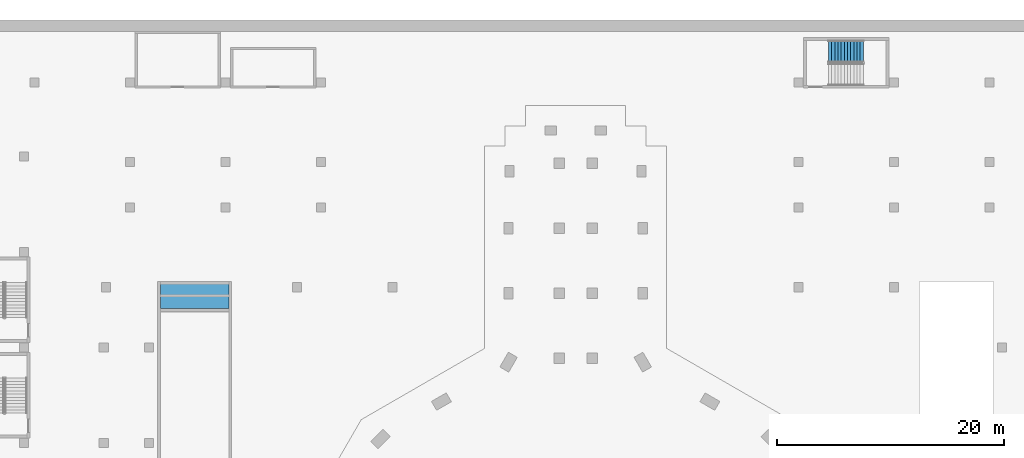
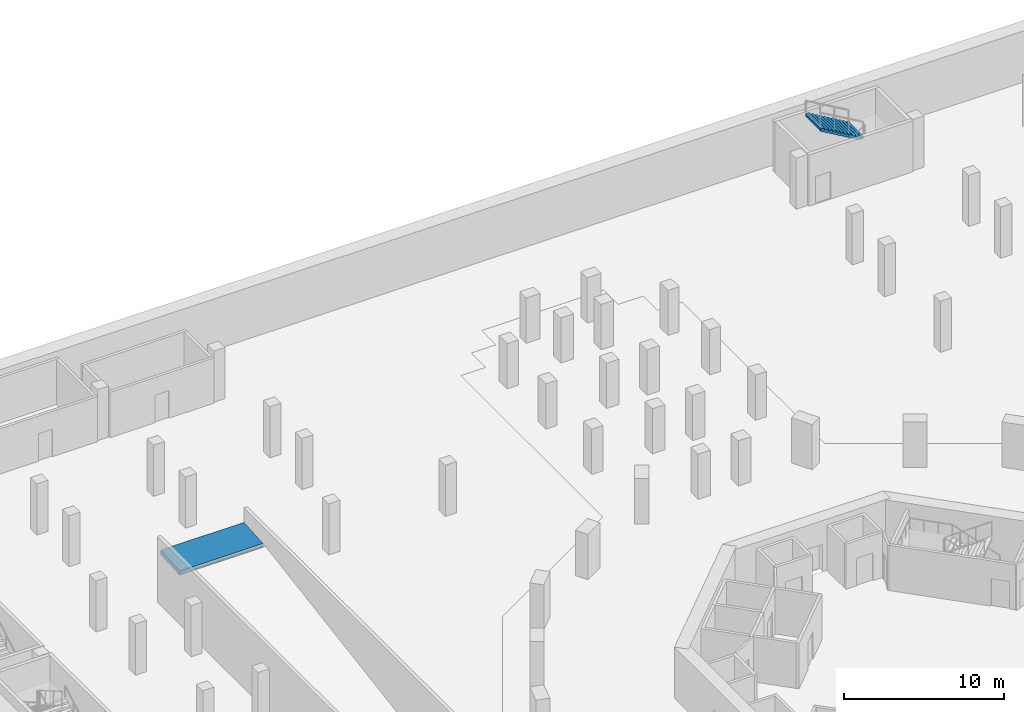
# One storey, part 18 of 25: 1 ramp flight, 1 stair flight, 2 elements without a shape of their own.
"""IFC4 building model written with IfcOpenShell, lengths in metres."""

from ifc_helpers import new_model, si_unit, direction, frame, origin, place, context, subcontext, project, spatial, triangles, material, layer, layer_set, type_object, element, aggregate, save


model = new_model("IFC4")

# Units and contexts
model_context = context("Model", 3, precision=1e-05, world=origin(), true_north=direction((0.0, 1.0)))
body_context = subcontext(model_context, "Body", "Model", "MODEL_VIEW")
ifc_project = project(units=[si_unit("LENGTHUNIT", "METRE"), si_unit("AREAUNIT", "SQUARE_METRE"), si_unit("VOLUMEUNIT", "CUBIC_METRE"), si_unit("PLANEANGLEUNIT", "RADIAN"), si_unit("MASSUNIT", "GRAM", prefix="KILO")], contexts=[model_context])

# Site, building, storey
site_placement = place(None, origin())
site = spatial("IfcSite", under=ifc_project, at=site_placement, CompositionType="ELEMENT")
building_placement = place(site_placement, origin())
building = spatial("IfcBuilding", under=site, at=building_placement, Name="Verdalira Terraces Hotel", CompositionType="ELEMENT")
storey_placement = place(building_placement, frame((0.0, 0.0, -7.800049)))
storey = spatial("IfcBuildingStorey", under=building, at=storey_placement, Name="B2", CompositionType="ELEMENT", Elevation=-7.800048828125)

# Stair, stair flight
ifc_material_1 = material(Name="Concrete C40", Category="concrete")
stair_type = type_object("IfcStairType", Name="Car park stair 24 risers", PredefinedType="HALF_TURN_STAIR", material=ifc_material_1)
stair_placement = place(storey_placement, origin())
stair = element("IfcStair", 1, at=stair_placement, inside=storey, type_object=stair_type, Name="B2 Exit stair Basement stair 3", PredefinedType="HALF_TURN_STAIR")
ifc_material_2 = material(Name="Concrete C40", Category="concrete")
stair_flight_type = type_object("IfcStairFlightType", Name="Car park stair flight 24 risers", PredefinedType="STRAIGHT", material=ifc_material_2)
stair_flight_placement = place(storey_placement, frame((25.304932, 51.237549, 1.949951), z_axis=(0.0, 0.0, 1.0), x_axis=(-1.0, 0.0, 0.0)))
stair_flight = element("IfcStairFlight", 2, at=stair_flight_placement, type_object=stair_flight_type, Name="Basement stair 3 flight 2", NumberOfRisers=12, NumberOfTreads=11, PredefinedType="STRAIGHT", RiserHeight=0.1625, TreadLength=0.28, context=body_context, shape_type="Tessellation", body=[
    triangles([(0.0, 0.962524, 0.0), (0.298584, 0.962524, 0.0), (3.080078, 0.962524, 1.614258), (0.0, -0.962524, 0.0), (0.298584, -0.962524, 0.0), (3.080078, -0.962524, 1.614258), (3.080078, 0.962524, 1.787598), (2.800049, 0.962524, 1.787598), (3.080078, -0.962524, 1.787598), (2.800049, -0.962524, 1.787598), (2.800049, 0.962524, 1.625), (2.800049, -0.962524, 1.625), (2.52002, 0.962524, 1.625), (2.52002, -0.962524, 1.625), (2.52002, 0.962524, 1.462402), (2.52002, -0.962524, 1.462402), (2.23999, 0.962524, 1.462402), (2.23999, 0.962524, 1.300049), (2.23999, -0.962524, 1.462402), (2.23999, -0.962524, 1.300049), (1.959961, 0.962524, 1.300049), (1.959961, 0.962524, 1.137451), (1.959961, -0.962524, 1.300049), (1.959961, -0.962524, 1.137451), (1.679932, 0.962524, 1.137451), (1.679932, 0.962524, 0.975098), (1.679932, -0.962524, 1.137451), (1.679932, -0.962524, 0.975098), (1.399902, 0.962524, 0.975098), (1.399902, 0.962524, 0.8125), (1.399902, -0.962524, 0.975098), (1.399902, -0.962524, 0.8125), (1.120117, 0.962524, 0.8125), (1.120117, 0.962524, 0.649902), (1.120117, -0.962524, 0.8125), (1.120117, -0.962524, 0.649902), (0.840088, 0.962524, 0.649902), (0.840088, 0.962524, 0.487549), (0.840088, -0.962524, 0.649902), (0.840088, -0.962524, 0.487549), (0.560059, 0.962524, 0.487549), (0.560059, 0.962524, 0.324951), (0.560059, -0.962524, 0.487549), (0.560059, -0.962524, 0.324951), (0.280029, 0.962524, 0.324951), (0.280029, 0.962524, 0.162598), (0.280029, -0.962524, 0.324951), (0.280029, -0.962524, 0.162598), (0.0, 0.962524, 0.162598), (0.0, -0.962524, 0.162598), (0.0, -0.902367, 0.0), (0.0, -0.902367, 0.162598), (0.0, -0.842209, 0.0), (0.0, -0.842209, 0.162598), (0.0, -0.782051, 0.0), (0.0, -0.782051, 0.162598), (0.0, -0.721893, 0.0), (0.0, -0.721893, 0.162598), (0.0, -0.661736, 0.0), (0.0, -0.661736, 0.162598), (0.0, -0.601578, 0.0), (0.0, -0.601578, 0.162598), (0.0, -0.54142, 0.0), (0.0, -0.54142, 0.162598), (0.0, -0.481262, 0.0), (0.0, -0.481262, 0.162598), (0.0, -0.421104, 0.0), (0.0, -0.421104, 0.162598), (0.0, -0.360947, 0.0), (0.0, -0.360947, 0.162598), (0.0, -0.300789, 0.0), (0.0, -0.300789, 0.162598), (0.0, -0.240631, 0.0), (0.0, -0.240631, 0.162598), (0.0, -0.180473, 0.0), (0.0, -0.180473, 0.162598), (0.0, -0.120316, 0.0), (0.0, -0.120316, 0.162598), (0.0, -0.060158, 0.0), (0.0, -0.060158, 0.162598), (0.0, 0.0, 0.0), (0.0, 0.0, 0.162598), (0.0, 0.060158, 0.0), (0.0, 0.060158, 0.162598), (0.0, 0.120316, 0.0), (0.0, 0.120316, 0.162598), (0.0, 0.180473, 0.0), (0.0, 0.180473, 0.162598), (0.0, 0.240631, 0.0), (0.0, 0.240631, 0.162598), (0.0, 0.300789, 0.0), (0.0, 0.300789, 0.162598), (0.0, 0.360947, 0.0), (0.0, 0.360947, 0.162598), (0.0, 0.421104, 0.0), (0.0, 0.421104, 0.162598), (0.0, 0.481262, 0.0), (0.0, 0.481262, 0.162598), (0.0, 0.54142, 0.0), (0.0, 0.54142, 0.162598), (0.0, 0.601578, 0.0), (0.0, 0.601578, 0.162598), (0.0, 0.661736, 0.0), (0.0, 0.661736, 0.162598), (0.0, 0.721893, 0.0), (0.0, 0.721893, 0.162598), (0.0, 0.782051, 0.0), (0.0, 0.782051, 0.162598), (0.0, 0.842209, 0.0), (0.0, 0.842209, 0.162598), (0.0, 0.902367, 0.0), (0.0, 0.902367, 0.162598), (3.080078, -0.902367, 1.787598), (3.080078, -0.842209, 1.787598), (3.080078, -0.782051, 1.787598), (3.080078, -0.721893, 1.787598), (3.080078, -0.661736, 1.787598), (3.080078, -0.601578, 1.787598), (3.080078, -0.54142, 1.787598), (3.080078, -0.481262, 1.787598), (3.080078, -0.421104, 1.787598), (3.080078, -0.360947, 1.787598), (3.080078, -0.300789, 1.787598), (3.080078, -0.240631, 1.787598), (3.080078, -0.180473, 1.787598), (3.080078, -0.120316, 1.787598), (3.080078, -0.060158, 1.787598), (3.080078, 0.0, 1.787598), (3.080078, 0.060158, 1.787598), (3.080078, 0.120316, 1.787598), (3.080078, 0.180473, 1.787598), (3.080078, 0.240631, 1.787598), (3.080078, 0.300789, 1.787598), (3.080078, 0.360947, 1.787598), (3.080078, 0.421104, 1.787598), (3.080078, 0.481262, 1.787598), (3.080078, 0.54142, 1.787598), (3.080078, 0.601578, 1.787598), (3.080078, 0.661736, 1.787598), (3.080078, 0.721893, 1.787598), (3.080078, 0.782051, 1.787598), (3.080078, 0.842209, 1.787598), (3.080078, 0.902367, 1.787598), (3.080078, -0.902367, 1.614258), (3.080078, -0.842209, 1.614258), (3.080078, -0.782051, 1.614258), (3.080078, -0.721893, 1.614258), (3.080078, -0.661736, 1.614258), (3.080078, -0.601578, 1.614258), (3.080078, -0.54142, 1.614258), (3.080078, -0.481262, 1.614258), (3.080078, -0.421104, 1.614258), (3.080078, -0.360947, 1.614258), (3.080078, -0.300789, 1.614258), (3.080078, -0.240631, 1.614258), (3.080078, -0.180473, 1.614258), (3.080078, -0.120316, 1.614258), (3.080078, -0.060158, 1.614258), (3.080078, 0.0, 1.614258), (3.080078, 0.060158, 1.614258), (3.080078, 0.120316, 1.614258), (3.080078, 0.180473, 1.614258), (3.080078, 0.240631, 1.614258), (3.080078, 0.300789, 1.614258), (3.080078, 0.360947, 1.614258), (3.080078, 0.421104, 1.614258), (3.080078, 0.481262, 1.614258), (3.080078, 0.54142, 1.614258), (3.080078, 0.601578, 1.614258), (3.080078, 0.661736, 1.614258), (3.080078, 0.721893, 1.614258), (3.080078, 0.782051, 1.614258), (3.080078, 0.842209, 1.614258), (3.080078, 0.902367, 1.614258)], [[1, 3, 2], [4, 5, 6], [3, 8, 7], [6, 9, 10], [3, 11, 8], [6, 10, 12], [3, 13, 11], [6, 12, 14], [3, 15, 13], [6, 14, 16], [15, 18, 17], [16, 19, 20], [3, 18, 15], [6, 16, 20], [18, 22, 21], [20, 23, 24], [3, 22, 18], [6, 20, 24], [22, 26, 25], [24, 27, 28], [3, 26, 22], [6, 24, 28], [26, 30, 29], [28, 31, 32], [3, 30, 26], [6, 28, 32], [30, 34, 33], [32, 35, 36], [3, 34, 30], [6, 32, 36], [34, 38, 37], [36, 39, 40], [3, 38, 34], [6, 36, 40], [38, 42, 41], [40, 43, 44], [3, 42, 38], [6, 40, 44], [1, 42, 3], [4, 6, 44], [42, 46, 45], [44, 47, 48], [1, 46, 42], [4, 44, 48], [46, 1, 49], [48, 50, 4], [4, 52, 51], [4, 50, 52], [51, 54, 53], [51, 52, 54], [53, 56, 55], [53, 54, 56], [55, 58, 57], [55, 56, 58], [57, 60, 59], [57, 58, 60], [59, 62, 61], [59, 60, 62], [61, 64, 63], [61, 62, 64], [63, 66, 65], [63, 64, 66], [65, 68, 67], [65, 66, 68], [67, 70, 69], [67, 68, 70], [69, 72, 71], [69, 70, 72], [71, 74, 73], [71, 72, 74], [73, 76, 75], [73, 74, 76], [75, 78, 77], [75, 76, 78], [77, 80, 79], [77, 78, 80], [79, 82, 81], [79, 80, 82], [81, 84, 83], [81, 82, 84], [83, 86, 85], [83, 84, 86], [85, 88, 87], [85, 86, 88], [87, 90, 89], [87, 88, 90], [89, 92, 91], [89, 90, 92], [91, 94, 93], [91, 92, 94], [93, 96, 95], [93, 94, 96], [95, 98, 97], [95, 96, 98], [97, 100, 99], [97, 98, 100], [99, 102, 101], [99, 100, 102], [101, 104, 103], [101, 102, 104], [103, 106, 105], [103, 104, 106], [105, 108, 107], [105, 106, 108], [107, 110, 109], [107, 108, 110], [109, 112, 111], [109, 110, 112], [111, 49, 1], [111, 112, 49], [50, 48, 52], [52, 48, 54], [54, 48, 56], [56, 48, 58], [58, 48, 60], [60, 48, 62], [62, 48, 64], [64, 48, 66], [66, 48, 68], [68, 48, 70], [70, 48, 72], [72, 48, 74], [74, 48, 76], [76, 48, 78], [78, 48, 80], [80, 48, 82], [82, 48, 84], [84, 48, 86], [86, 48, 88], [88, 48, 90], [90, 48, 92], [92, 48, 94], [94, 48, 96], [96, 48, 98], [98, 48, 100], [100, 48, 102], [102, 48, 104], [104, 48, 106], [106, 48, 108], [108, 48, 110], [110, 48, 112], [112, 48, 49], [49, 48, 46], [48, 45, 46], [48, 47, 45], [47, 42, 45], [47, 44, 42], [44, 41, 42], [44, 43, 41], [43, 38, 41], [43, 40, 38], [40, 37, 38], [40, 39, 37], [39, 34, 37], [39, 36, 34], [36, 33, 34], [36, 35, 33], [35, 30, 33], [35, 32, 30], [32, 29, 30], [32, 31, 29], [31, 26, 29], [31, 28, 26], [28, 25, 26], [28, 27, 25], [27, 22, 25], [27, 24, 22], [24, 21, 22], [24, 23, 21], [23, 18, 21], [23, 20, 18], [20, 17, 18], [20, 19, 17], [19, 15, 17], [19, 16, 15], [16, 13, 15], [16, 14, 13], [14, 11, 13], [14, 12, 11], [12, 8, 11], [12, 10, 8], [9, 113, 10], [113, 114, 10], [114, 115, 10], [115, 116, 10], [116, 117, 10], [117, 118, 10], [118, 119, 10], [119, 120, 10], [120, 121, 10], [121, 122, 10], [122, 123, 10], [123, 124, 10], [124, 125, 10], [125, 126, 10], [126, 127, 10], [127, 128, 10], [128, 129, 10], [129, 130, 10], [130, 131, 10], [131, 132, 10], [132, 133, 10], [133, 134, 10], [134, 135, 10], [135, 136, 10], [136, 137, 10], [137, 138, 10], [138, 139, 10], [139, 140, 10], [140, 141, 10], [141, 142, 10], [142, 143, 10], [143, 7, 10], [7, 8, 10], [9, 144, 113], [9, 6, 144], [113, 145, 114], [113, 144, 145], [114, 146, 115], [114, 145, 146], [115, 147, 116], [115, 146, 147], [116, 148, 117], [116, 147, 148], [117, 149, 118], [117, 148, 149], [118, 150, 119], [118, 149, 150], [119, 151, 120], [119, 150, 151], [120, 152, 121], [120, 151, 152], [121, 153, 122], [121, 152, 153], [122, 154, 123], [122, 153, 154], [123, 155, 124], [123, 154, 155], [124, 156, 125], [124, 155, 156], [125, 157, 126], [125, 156, 157], [126, 158, 127], [126, 157, 158], [127, 159, 128], [127, 158, 159], [128, 160, 129], [128, 159, 160], [129, 161, 130], [129, 160, 161], [130, 162, 131], [130, 161, 162], [131, 163, 132], [131, 162, 163], [132, 164, 133], [132, 163, 164], [133, 165, 134], [133, 164, 165], [134, 166, 135], [134, 165, 166], [135, 167, 136], [135, 166, 167], [136, 168, 137], [136, 167, 168], [137, 169, 138], [137, 168, 169], [138, 170, 139], [138, 169, 170], [139, 171, 140], [139, 170, 171], [140, 172, 141], [140, 171, 172], [141, 173, 142], [141, 172, 173], [142, 174, 143], [142, 173, 174], [143, 3, 7], [143, 174, 3], [6, 5, 144], [144, 5, 145], [145, 5, 146], [146, 5, 147], [147, 5, 148], [148, 5, 149], [149, 5, 150], [150, 5, 151], [151, 5, 152], [152, 5, 153], [153, 5, 154], [154, 5, 155], [155, 5, 156], [156, 5, 157], [157, 5, 158], [158, 5, 159], [159, 5, 160], [160, 5, 161], [161, 5, 162], [162, 5, 163], [163, 5, 164], [164, 5, 165], [165, 5, 166], [166, 5, 167], [167, 5, 168], [168, 5, 169], [169, 5, 170], [170, 5, 171], [171, 5, 172], [172, 5, 173], [173, 5, 174], [174, 5, 3], [3, 5, 2], [4, 51, 5], [51, 53, 5], [53, 55, 5], [55, 57, 5], [57, 59, 5], [59, 61, 5], [61, 63, 5], [63, 65, 5], [65, 67, 5], [67, 69, 5], [69, 71, 5], [71, 73, 5], [73, 75, 5], [75, 77, 5], [77, 79, 5], [79, 81, 5], [81, 83, 5], [83, 85, 5], [85, 87, 5], [87, 89, 5], [89, 91, 5], [91, 93, 5], [93, 95, 5], [95, 97, 5], [97, 99, 5], [99, 101, 5], [101, 103, 5], [103, 105, 5], [105, 107, 5], [107, 109, 5], [109, 111, 5], [111, 1, 5], [1, 2, 5]], closed=True),
])
aggregate(stair, [stair_flight])

# Ramp, ramp flight
ifc_material_3 = material(Name="Concrete C40", Category="concrete")
ifc_layer_1 = layer(ifc_material_3, 0.35009765625)
ifc_layer_set_1 = layer_set([ifc_layer_1], Name="Ramp 350 C40")
ramp_type = type_object("IfcRampType", Name="Ramp 350 C40", PredefinedType="STRAIGHT_RUN_RAMP", material=ifc_layer_set_1)
ramp_placement = place(storey_placement, origin())
ramp = element("IfcRamp", 3, at=ramp_placement, inside=storey, type_object=ramp_type, Name="Ramp from B1 to B2", PredefinedType="STRAIGHT_RUN_RAMP")
ifc_material_4 = material(Name="Concrete C40", Category="concrete")
ifc_layer_2 = layer(ifc_material_4, 0.35009765625)
ifc_layer_set_2 = layer_set([ifc_layer_2], Name="Ramp flight 350 C40")
ramp_flight_type = type_object("IfcRampFlightType", Name="Ramp flight 350 C40", PredefinedType="STRAIGHT", material=ifc_layer_set_2)
ramp_flight_placement = place(storey_placement, frame((-36.5, 31.0, 3.900146), z_axis=(0.0, -0.06983321, 0.997558681), x_axis=(1.0, 0.0, 0.0)))
ramp_flight = element("IfcRampFlight", 4, at=ramp_flight_placement, type_object=ramp_flight_type, Name="Ramp from B1 to B2 flight 1", PredefinedType="STRAIGHT", context=body_context, shape_type="Tessellation", body=[
    triangles([(3.0, -1.190406, 0.0), (0.0, 0.0, 0.0), (6.0, 0.0, 0.0), (6.0, -2.380812, 0.0), (0.0, -2.380812, 0.0), (3.0, -1.190406, -0.35), (0.0, 0.0, -0.35), (6.0, 0.0, -0.35), (6.0, -2.380812, -0.35), (0.0, -2.380812, -0.35), (3.0, 0.0, -0.175), (6.0, -1.190406, -0.175), (3.0, -2.380812, -0.175), (0.0, -1.190406, -0.175)], [[3, 2, 1], [4, 3, 1], [5, 4, 1], [2, 5, 1], [7, 8, 6], [8, 9, 6], [9, 10, 6], [10, 7, 6], [2, 3, 11], [3, 8, 11], [8, 7, 11], [7, 2, 11], [3, 4, 12], [4, 9, 12], [9, 8, 12], [8, 3, 12], [4, 5, 13], [5, 10, 13], [10, 9, 13], [9, 4, 13], [5, 2, 14], [2, 7, 14], [7, 10, 14], [10, 5, 14]], closed=True),
])
aggregate(ramp, [ramp_flight])

save(model, "model.ifc")
